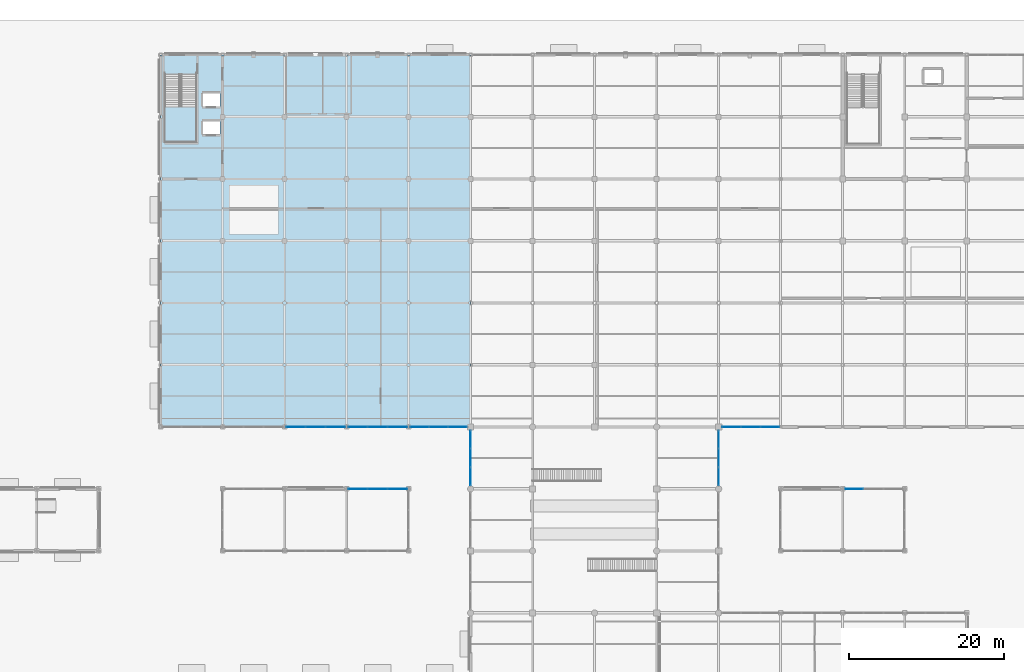
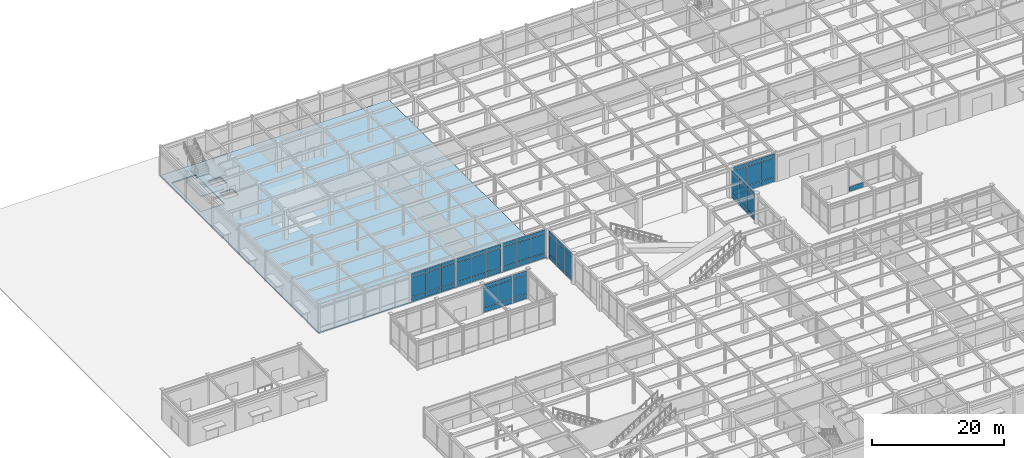
# One storey, part 97 of 128: 64 plates, 2 slabs, 9 elements without a shape of their own.
"""IFC4 building model written with IfcOpenShell, lengths in metres."""

from ifc_helpers import new_model, si_unit, direction, frame, origin, origin_2d, place, context, subcontext, project, spatial, polyline, rectangle, outline, extrude, material, layer, layer_set, type_object, element, aggregate, save


model = new_model("IFC4")

# Units and contexts
model_context = context("Model", 3, precision=1e-05, world=origin(), true_north=direction((0.0, 1.0)))
body_context = subcontext(model_context, "Body", "Model", "MODEL_VIEW")
ifc_project = project(units=[si_unit("LENGTHUNIT", "METRE"), si_unit("AREAUNIT", "SQUARE_METRE"), si_unit("VOLUMEUNIT", "CUBIC_METRE"), si_unit("PLANEANGLEUNIT", "RADIAN"), si_unit("MASSUNIT", "GRAM", prefix="KILO")], contexts=[model_context])

# Site, building, storey
site_placement = place(None, origin())
site = spatial("IfcSite", under=ifc_project, at=site_placement, CompositionType="ELEMENT")
building_placement = place(site_placement, origin())
building = spatial("IfcBuilding", under=site, at=building_placement, Name="Solmirada Galleria", CompositionType="ELEMENT")
storey_placement = place(building_placement, origin())
storey = spatial("IfcBuildingStorey", under=building, at=storey_placement, Name="L00", CompositionType="ELEMENT", Elevation=0.0)

# Curtain wall, plates
ifc_material_1 = material(Name="Impact-resistant low-E double glazing", Category="glass")
curtain_wall_type_1 = type_object("IfcCurtainWallType", Name="CW-FZ3-L00-B3-L072", PredefinedType="NOTDEFINED", material=ifc_material_1)
curtain_wall_1_placement = place(storey_placement, origin())
curtain_wall_1 = element("IfcCurtainWall", 1, at=curtain_wall_1_placement, inside=storey, type_object=curtain_wall_type_1, Name="Terrace and arcade storefront CW-L00-003", PredefinedType="NOTDEFINED")
ifc_layer_1 = layer(ifc_material_1, 0.0419921875)
ifc_layer_set_1 = layer_set([ifc_layer_1], Name="Impact-resistant low-E double glazing")
plate_type_1 = type_object("IfcPlateType", Name="CW-PNL-CW01-T42", PredefinedType="CURTAIN_PANEL", material=ifc_layer_set_1)
plate_1_placement = place(storey_placement, frame((80.0, 65.618896484375, 0.06494140625), z_axis=(0.0, 0.0, 1.0), x_axis=(0.0, 1.0, 0.0)))
plate_1 = element("IfcPlate", 2, at=plate_1_placement, type_object=plate_type_1, Name="CW01 panel 1.1", PredefinedType="CURTAIN_PANEL", context=body_context, shape_type="SweptSolid", body=[
    extrude(rectangle(XDim=2.293701171875, YDim=0.0419921875, at=origin_2d()), origin(), (0.0, 0.0, 1.0), 0.782470703125),
])
plate_2_placement = place(storey_placement, frame((80.0, 65.618896484375, 0.91259765625), z_axis=(0.0, 0.0, 1.0), x_axis=(0.0, 1.0, 0.0)))
plate_2 = element("IfcPlate", 3, at=plate_2_placement, type_object=plate_type_1, Name="CW01 panel 1.2", PredefinedType="CURTAIN_PANEL", context=body_context, shape_type="SweptSolid", body=[
    extrude(rectangle(XDim=2.293701171875, YDim=0.0419921875, at=origin_2d()), origin(), (0.0, 0.0, 1.0), 3.614990234375),
])
plate_3_placement = place(storey_placement, frame((80.0, 65.618896484375, 4.592529296875), z_axis=(0.0, 0.0, 1.0), x_axis=(0.0, 1.0, 0.0)))
plate_3 = element("IfcPlate", 4, at=plate_3_placement, type_object=plate_type_1, Name="CW01 panel 1.3", PredefinedType="CURTAIN_PANEL", context=body_context, shape_type="SweptSolid", body=[
    extrude(rectangle(XDim=2.293701171875, YDim=0.0419921875, at=origin_2d()), origin(), (0.0, 0.0, 1.0), 0.66259765625),
])
plate_4_placement = place(storey_placement, frame((80.0, 68.0, 0.06494140625), z_axis=(0.0, 0.0, 1.0), x_axis=(0.0, 1.0, 0.0)))
plate_4 = element("IfcPlate", 5, at=plate_4_placement, type_object=plate_type_1, Name="CW01 panel 2.1", PredefinedType="CURTAIN_PANEL", context=body_context, shape_type="SweptSolid", body=[
    extrude(rectangle(XDim=2.32861328125, YDim=0.0419921875, at=origin_2d()), origin(), (0.0, 0.0, 1.0), 0.782470703125),
])
plate_5_placement = place(storey_placement, frame((80.0, 68.0, 0.91259765625), z_axis=(0.0, 0.0, 1.0), x_axis=(0.0, 1.0, 0.0)))
plate_5 = element("IfcPlate", 6, at=plate_5_placement, type_object=plate_type_1, Name="CW01 panel 2.2", PredefinedType="CURTAIN_PANEL", context=body_context, shape_type="SweptSolid", body=[
    extrude(rectangle(XDim=2.32861328125, YDim=0.0419921875, at=origin_2d()), origin(), (0.0, 0.0, 1.0), 3.614990234375),
])
plate_6_placement = place(storey_placement, frame((80.0, 68.0, 4.592529296875), z_axis=(0.0, 0.0, 1.0), x_axis=(0.0, 1.0, 0.0)))
plate_6 = element("IfcPlate", 7, at=plate_6_placement, type_object=plate_type_1, Name="CW01 panel 2.3", PredefinedType="CURTAIN_PANEL", context=body_context, shape_type="SweptSolid", body=[
    extrude(rectangle(XDim=2.32861328125, YDim=0.0419921875, at=origin_2d()), origin(), (0.0, 0.0, 1.0), 0.66259765625),
])
plate_7_placement = place(storey_placement, frame((80.0, 70.381103515625, 0.06494140625), z_axis=(0.0, 0.0, 1.0), x_axis=(0.0, 1.0, 0.0)))
plate_7 = element("IfcPlate", 8, at=plate_7_placement, type_object=plate_type_1, Name="CW01 panel 3.1", PredefinedType="CURTAIN_PANEL", context=body_context, shape_type="SweptSolid", body=[
    extrude(rectangle(XDim=2.293701171875, YDim=0.0419921875, at=origin_2d()), origin(), (0.0, 0.0, 1.0), 0.782470703125),
])
plate_8_placement = place(storey_placement, frame((80.0, 70.381103515625, 0.91259765625), z_axis=(0.0, 0.0, 1.0), x_axis=(0.0, 1.0, 0.0)))
plate_8 = element("IfcPlate", 9, at=plate_8_placement, type_object=plate_type_1, Name="CW01 panel 3.2", PredefinedType="CURTAIN_PANEL", context=body_context, shape_type="SweptSolid", body=[
    extrude(rectangle(XDim=2.293701171875, YDim=0.0419921875, at=origin_2d()), origin(), (0.0, 0.0, 1.0), 3.614990234375),
])
plate_9_placement = place(storey_placement, frame((80.0, 70.381103515625, 4.592529296875), z_axis=(0.0, 0.0, 1.0), x_axis=(0.0, 1.0, 0.0)))
plate_9 = element("IfcPlate", 10, at=plate_9_placement, type_object=plate_type_1, Name="CW01 panel 3.3", PredefinedType="CURTAIN_PANEL", context=body_context, shape_type="SweptSolid", body=[
    extrude(rectangle(XDim=2.293701171875, YDim=0.0419921875, at=origin_2d()), origin(), (0.0, 0.0, 1.0), 0.66259765625),
])
aggregate(curtain_wall_1, [plate_1, plate_2, plate_3, plate_4, plate_5, plate_6, plate_7, plate_8, plate_9])

curtain_wall_2_placement = place(storey_placement, origin())
curtain_wall_2 = element("IfcCurtainWall", 11, at=curtain_wall_2_placement, inside=storey, type_object=curtain_wall_type_1, Name="Terrace and arcade storefront CW-L00-016", PredefinedType="NOTDEFINED")
plate_10_placement = place(storey_placement, frame((112.0, 70.381103515625, 0.06494140625), z_axis=(0.0, 0.0, 1.0), x_axis=(0.0, -1.0, 0.0)))
plate_10 = element("IfcPlate", 12, at=plate_10_placement, type_object=plate_type_1, Name="CW01 panel 1.1", PredefinedType="CURTAIN_PANEL", context=body_context, shape_type="SweptSolid", body=[
    extrude(rectangle(XDim=2.293701171875, YDim=0.0419921875, at=origin_2d()), origin(), (0.0, 0.0, 1.0), 0.782470703125),
])
plate_11_placement = place(storey_placement, frame((112.0, 70.381103515625, 0.91259765625), z_axis=(0.0, 0.0, 1.0), x_axis=(0.0, -1.0, 0.0)))
plate_11 = element("IfcPlate", 13, at=plate_11_placement, type_object=plate_type_1, Name="CW01 panel 1.2", PredefinedType="CURTAIN_PANEL", context=body_context, shape_type="SweptSolid", body=[
    extrude(rectangle(XDim=2.293701171875, YDim=0.0419921875, at=origin_2d()), origin(), (0.0, 0.0, 1.0), 3.614990234375),
])
plate_12_placement = place(storey_placement, frame((112.0, 70.381103515625, 4.592529296875), z_axis=(0.0, 0.0, 1.0), x_axis=(0.0, -1.0, 0.0)))
plate_12 = element("IfcPlate", 14, at=plate_12_placement, type_object=plate_type_1, Name="CW01 panel 1.3", PredefinedType="CURTAIN_PANEL", context=body_context, shape_type="SweptSolid", body=[
    extrude(rectangle(XDim=2.293701171875, YDim=0.0419921875, at=origin_2d()), origin(), (0.0, 0.0, 1.0), 0.66259765625),
])
plate_13_placement = place(storey_placement, frame((112.0, 68.0, 0.06494140625), z_axis=(0.0, 0.0, 1.0), x_axis=(0.0, -1.0, 0.0)))
plate_13 = element("IfcPlate", 15, at=plate_13_placement, type_object=plate_type_1, Name="CW01 panel 2.1", PredefinedType="CURTAIN_PANEL", context=body_context, shape_type="SweptSolid", body=[
    extrude(rectangle(XDim=2.32861328125, YDim=0.0419921875, at=origin_2d()), origin(), (0.0, 0.0, 1.0), 0.782470703125),
])
plate_14_placement = place(storey_placement, frame((112.0, 68.0, 0.91259765625), z_axis=(0.0, 0.0, 1.0), x_axis=(0.0, -1.0, 0.0)))
plate_14 = element("IfcPlate", 16, at=plate_14_placement, type_object=plate_type_1, Name="CW01 panel 2.2", PredefinedType="CURTAIN_PANEL", context=body_context, shape_type="SweptSolid", body=[
    extrude(rectangle(XDim=2.32861328125, YDim=0.0419921875, at=origin_2d()), origin(), (0.0, 0.0, 1.0), 3.614990234375),
])
plate_15_placement = place(storey_placement, frame((112.0, 68.0, 4.592529296875), z_axis=(0.0, 0.0, 1.0), x_axis=(0.0, -1.0, 0.0)))
plate_15 = element("IfcPlate", 17, at=plate_15_placement, type_object=plate_type_1, Name="CW01 panel 2.3", PredefinedType="CURTAIN_PANEL", context=body_context, shape_type="SweptSolid", body=[
    extrude(rectangle(XDim=2.32861328125, YDim=0.0419921875, at=origin_2d()), origin(), (0.0, 0.0, 1.0), 0.66259765625),
])
plate_16_placement = place(storey_placement, frame((112.0, 65.618896484375, 0.06494140625), z_axis=(0.0, 0.0, 1.0), x_axis=(0.0, -1.0, 0.0)))
plate_16 = element("IfcPlate", 18, at=plate_16_placement, type_object=plate_type_1, Name="CW01 panel 3.1", PredefinedType="CURTAIN_PANEL", context=body_context, shape_type="SweptSolid", body=[
    extrude(rectangle(XDim=2.293701171875, YDim=0.0419921875, at=origin_2d()), origin(), (0.0, 0.0, 1.0), 0.782470703125),
])
plate_17_placement = place(storey_placement, frame((112.0, 65.618896484375, 0.91259765625), z_axis=(0.0, 0.0, 1.0), x_axis=(0.0, -1.0, 0.0)))
plate_17 = element("IfcPlate", 19, at=plate_17_placement, type_object=plate_type_1, Name="CW01 panel 3.2", PredefinedType="CURTAIN_PANEL", context=body_context, shape_type="SweptSolid", body=[
    extrude(rectangle(XDim=2.293701171875, YDim=0.0419921875, at=origin_2d()), origin(), (0.0, 0.0, 1.0), 3.614990234375),
])
plate_18_placement = place(storey_placement, frame((112.0, 65.618896484375, 4.592529296875), z_axis=(0.0, 0.0, 1.0), x_axis=(0.0, -1.0, 0.0)))
plate_18 = element("IfcPlate", 20, at=plate_18_placement, type_object=plate_type_1, Name="CW01 panel 3.3", PredefinedType="CURTAIN_PANEL", context=body_context, shape_type="SweptSolid", body=[
    extrude(rectangle(XDim=2.293701171875, YDim=0.0419921875, at=origin_2d()), origin(), (0.0, 0.0, 1.0), 0.66259765625),
])
aggregate(curtain_wall_2, [plate_10, plate_11, plate_12, plate_13, plate_14, plate_15, plate_16, plate_17, plate_18])

curtain_wall_type_2 = type_object("IfcCurtainWallType", Name="CW-FZ4-L00-B3-L075", PredefinedType="NOTDEFINED", material=ifc_material_1)
curtain_wall_3_placement = place(storey_placement, origin())
curtain_wall_3 = element("IfcCurtainWall", 21, at=curtain_wall_3_placement, inside=storey, type_object=curtain_wall_type_2, Name="Terrace and arcade storefront CW-L00-004", PredefinedType="NOTDEFINED")
ifc_layer_2 = layer(ifc_material_1, 0.048095703125)
ifc_layer_set_2 = layer_set([ifc_layer_2], Name="Impact-resistant low-E double glazing")
plate_type_2 = type_object("IfcPlateType", Name="CW-PNL-CW02-T48", PredefinedType="CURTAIN_PANEL", material=ifc_layer_set_2)
plate_19_placement = place(storey_placement, frame((78.335693359375, 72.0, 0.06494140625), z_axis=(0.0, 0.0, 1.0), x_axis=(-1.0, 0.0, 0.0)))
plate_19 = element("IfcPlate", 22, at=plate_19_placement, type_object=plate_type_2, Name="CW02 panel 1.1", PredefinedType="CURTAIN_PANEL", context=body_context, shape_type="SweptSolid", body=[
    extrude(rectangle(XDim=2.384765625, YDim=0.048095703125, at=origin_2d()), origin(), (0.0, 0.0, 1.0), 0.842529296875),
])
plate_20_placement = place(storey_placement, frame((78.335693359375, 72.0, 0.97265625), z_axis=(0.0, 0.0, 1.0), x_axis=(-1.0, 0.0, 0.0)))
plate_20 = element("IfcPlate", 23, at=plate_20_placement, type_object=plate_type_2, Name="CW02 panel 1.2", PredefinedType="CURTAIN_PANEL", context=body_context, shape_type="SweptSolid", body=[
    extrude(rectangle(XDim=2.384765625, YDim=0.048095703125, at=origin_2d()), origin(), (0.0, 0.0, 1.0), 3.5048828125),
])
plate_21_placement = place(storey_placement, frame((78.335693359375, 72.0, 4.54248046875), z_axis=(0.0, 0.0, 1.0), x_axis=(-1.0, 0.0, 0.0)))
plate_21 = element("IfcPlate", 24, at=plate_21_placement, type_object=plate_type_2, Name="CW02 panel 1.3", PredefinedType="CURTAIN_PANEL", context=body_context, shape_type="SweptSolid", body=[
    extrude(rectangle(XDim=2.384765625, YDim=0.048095703125, at=origin_2d()), origin(), (0.0, 0.0, 1.0), 0.71240234375),
])
plate_22_placement = place(storey_placement, frame((75.863525390625, 72.0, 0.06494140625), z_axis=(0.0, 0.0, 1.0), x_axis=(-1.0, 0.0, 0.0)))
plate_22 = element("IfcPlate", 25, at=plate_22_placement, type_object=plate_type_2, Name="CW02 panel 2.1", PredefinedType="CURTAIN_PANEL", context=body_context, shape_type="SweptSolid", body=[
    extrude(rectangle(XDim=2.419677734375, YDim=0.048095703125, at=origin_2d()), origin(), (0.0, 0.0, 1.0), 0.842529296875),
])
plate_23_placement = place(storey_placement, frame((75.863525390625, 72.0, 0.97265625), z_axis=(0.0, 0.0, 1.0), x_axis=(-1.0, 0.0, 0.0)))
plate_23 = element("IfcPlate", 26, at=plate_23_placement, type_object=plate_type_2, Name="CW02 panel 2.2", PredefinedType="CURTAIN_PANEL", context=body_context, shape_type="SweptSolid", body=[
    extrude(rectangle(XDim=2.419677734375, YDim=0.048095703125, at=origin_2d()), origin(), (0.0, 0.0, 1.0), 3.5048828125),
])
plate_24_placement = place(storey_placement, frame((75.863525390625, 72.0, 4.54248046875), z_axis=(0.0, 0.0, 1.0), x_axis=(-1.0, 0.0, 0.0)))
plate_24 = element("IfcPlate", 27, at=plate_24_placement, type_object=plate_type_2, Name="CW02 panel 2.3", PredefinedType="CURTAIN_PANEL", context=body_context, shape_type="SweptSolid", body=[
    extrude(rectangle(XDim=2.419677734375, YDim=0.048095703125, at=origin_2d()), origin(), (0.0, 0.0, 1.0), 0.71240234375),
])
plate_25_placement = place(storey_placement, frame((73.391357421875, 72.0, 0.06494140625), z_axis=(0.0, 0.0, 1.0), x_axis=(-1.0, 0.0, 0.0)))
plate_25 = element("IfcPlate", 28, at=plate_25_placement, type_object=plate_type_2, Name="CW02 panel 3.1", PredefinedType="CURTAIN_PANEL", context=body_context, shape_type="SweptSolid", body=[
    extrude(rectangle(XDim=2.384765625, YDim=0.048095703125, at=origin_2d()), origin(), (0.0, 0.0, 1.0), 0.842529296875),
])
plate_26_placement = place(storey_placement, frame((73.391357421875, 72.0, 0.97265625), z_axis=(0.0, 0.0, 1.0), x_axis=(-1.0, 0.0, 0.0)))
plate_26 = element("IfcPlate", 29, at=plate_26_placement, type_object=plate_type_2, Name="CW02 panel 3.2", PredefinedType="CURTAIN_PANEL", context=body_context, shape_type="SweptSolid", body=[
    extrude(rectangle(XDim=2.384765625, YDim=0.048095703125, at=origin_2d()), origin(), (0.0, 0.0, 1.0), 3.5048828125),
])
plate_27_placement = place(storey_placement, frame((73.391357421875, 72.0, 4.54248046875), z_axis=(0.0, 0.0, 1.0), x_axis=(-1.0, 0.0, 0.0)))
plate_27 = element("IfcPlate", 30, at=plate_27_placement, type_object=plate_type_2, Name="CW02 panel 3.3", PredefinedType="CURTAIN_PANEL", context=body_context, shape_type="SweptSolid", body=[
    extrude(rectangle(XDim=2.384765625, YDim=0.048095703125, at=origin_2d()), origin(), (0.0, 0.0, 1.0), 0.71240234375),
])
aggregate(curtain_wall_3, [plate_19, plate_20, plate_21, plate_22, plate_23, plate_24, plate_25, plate_26, plate_27])

curtain_wall_4_placement = place(storey_placement, origin())
curtain_wall_4 = element("IfcCurtainWall", 31, at=curtain_wall_4_placement, inside=storey, type_object=curtain_wall_type_2, Name="Terrace and arcade storefront CW-L00-015", PredefinedType="NOTDEFINED")
plate_28_placement = place(storey_placement, frame((118.608642578125, 72.0, 0.06494140625), z_axis=(0.0, 0.0, 1.0), x_axis=(-1.0, 0.0, 0.0)))
plate_28 = element("IfcPlate", 32, at=plate_28_placement, type_object=plate_type_2, Name="CW02 panel 1.1", PredefinedType="CURTAIN_PANEL", context=body_context, shape_type="SweptSolid", body=[
    extrude(rectangle(XDim=2.384765625, YDim=0.048095703125, at=origin_2d()), origin(), (0.0, 0.0, 1.0), 0.842529296875),
])
plate_29_placement = place(storey_placement, frame((118.608642578125, 72.0, 0.97265625), z_axis=(0.0, 0.0, 1.0), x_axis=(-1.0, 0.0, 0.0)))
plate_29 = element("IfcPlate", 33, at=plate_29_placement, type_object=plate_type_2, Name="CW02 panel 1.2", PredefinedType="CURTAIN_PANEL", context=body_context, shape_type="SweptSolid", body=[
    extrude(rectangle(XDim=2.384765625, YDim=0.048095703125, at=origin_2d()), origin(), (0.0, 0.0, 1.0), 3.5048828125),
])
plate_30_placement = place(storey_placement, frame((118.608642578125, 72.0, 4.54248046875), z_axis=(0.0, 0.0, 1.0), x_axis=(-1.0, 0.0, 0.0)))
plate_30 = element("IfcPlate", 34, at=plate_30_placement, type_object=plate_type_2, Name="CW02 panel 1.3", PredefinedType="CURTAIN_PANEL", context=body_context, shape_type="SweptSolid", body=[
    extrude(rectangle(XDim=2.384765625, YDim=0.048095703125, at=origin_2d()), origin(), (0.0, 0.0, 1.0), 0.71240234375),
])
plate_31_placement = place(storey_placement, frame((116.136474609375, 72.0, 0.06494140625), z_axis=(0.0, 0.0, 1.0), x_axis=(-1.0, 0.0, 0.0)))
plate_31 = element("IfcPlate", 35, at=plate_31_placement, type_object=plate_type_2, Name="CW02 panel 2.1", PredefinedType="CURTAIN_PANEL", context=body_context, shape_type="SweptSolid", body=[
    extrude(rectangle(XDim=2.419677734375, YDim=0.048095703125, at=origin_2d()), origin(), (0.0, 0.0, 1.0), 0.842529296875),
])
plate_32_placement = place(storey_placement, frame((116.136474609375, 72.0, 0.97265625), z_axis=(0.0, 0.0, 1.0), x_axis=(-1.0, 0.0, 0.0)))
plate_32 = element("IfcPlate", 36, at=plate_32_placement, type_object=plate_type_2, Name="CW02 panel 2.2", PredefinedType="CURTAIN_PANEL", context=body_context, shape_type="SweptSolid", body=[
    extrude(rectangle(XDim=2.419677734375, YDim=0.048095703125, at=origin_2d()), origin(), (0.0, 0.0, 1.0), 3.5048828125),
])
plate_33_placement = place(storey_placement, frame((116.136474609375, 72.0, 4.54248046875), z_axis=(0.0, 0.0, 1.0), x_axis=(-1.0, 0.0, 0.0)))
plate_33 = element("IfcPlate", 37, at=plate_33_placement, type_object=plate_type_2, Name="CW02 panel 2.3", PredefinedType="CURTAIN_PANEL", context=body_context, shape_type="SweptSolid", body=[
    extrude(rectangle(XDim=2.419677734375, YDim=0.048095703125, at=origin_2d()), origin(), (0.0, 0.0, 1.0), 0.71240234375),
])
plate_34_placement = place(storey_placement, frame((113.664306640625, 72.0, 0.06494140625), z_axis=(0.0, 0.0, 1.0), x_axis=(-1.0, 0.0, 0.0)))
plate_34 = element("IfcPlate", 38, at=plate_34_placement, type_object=plate_type_2, Name="CW02 panel 3.1", PredefinedType="CURTAIN_PANEL", context=body_context, shape_type="SweptSolid", body=[
    extrude(rectangle(XDim=2.384765625, YDim=0.048095703125, at=origin_2d()), origin(), (0.0, 0.0, 1.0), 0.842529296875),
])
plate_35_placement = place(storey_placement, frame((113.664306640625, 72.0, 0.97265625), z_axis=(0.0, 0.0, 1.0), x_axis=(-1.0, 0.0, 0.0)))
plate_35 = element("IfcPlate", 39, at=plate_35_placement, type_object=plate_type_2, Name="CW02 panel 3.2", PredefinedType="CURTAIN_PANEL", context=body_context, shape_type="SweptSolid", body=[
    extrude(rectangle(XDim=2.384765625, YDim=0.048095703125, at=origin_2d()), origin(), (0.0, 0.0, 1.0), 3.5048828125),
])
plate_36_placement = place(storey_placement, frame((113.664306640625, 72.0, 4.54248046875), z_axis=(0.0, 0.0, 1.0), x_axis=(-1.0, 0.0, 0.0)))
plate_36 = element("IfcPlate", 40, at=plate_36_placement, type_object=plate_type_2, Name="CW02 panel 3.3", PredefinedType="CURTAIN_PANEL", context=body_context, shape_type="SweptSolid", body=[
    extrude(rectangle(XDim=2.384765625, YDim=0.048095703125, at=origin_2d()), origin(), (0.0, 0.0, 1.0), 0.71240234375),
])
aggregate(curtain_wall_4, [plate_28, plate_29, plate_30, plate_31, plate_32, plate_33, plate_34, plate_35, plate_36])

curtain_wall_type_3 = type_object("IfcCurtainWallType", Name="CW-FZ4-L00-B3-L077", PredefinedType="NOTDEFINED", material=ifc_material_1)
curtain_wall_5_placement = place(storey_placement, origin())
curtain_wall_5 = element("IfcCurtainWall", 41, at=curtain_wall_5_placement, inside=storey, type_object=curtain_wall_type_3, Name="Terrace and arcade storefront CW-L00-005", PredefinedType="NOTDEFINED")
ifc_layer_3 = layer(ifc_material_1, 0.02392578125)
ifc_layer_set_3 = layer_set([ifc_layer_3], Name="Impact-resistant low-E double glazing")
plate_type_3 = type_object("IfcPlateType", Name="CW-PNL-CW03-T24", PredefinedType="CURTAIN_PANEL", material=ifc_layer_set_3)
plate_37_placement = place(storey_placement, frame((70.563232421875, 72.0, 0.06494140625), z_axis=(0.0, 0.0, 1.0), x_axis=(-1.0, 0.0, 0.0)))
plate_37 = element("IfcPlate", 42, at=plate_37_placement, type_object=plate_type_3, Name="CW03 panel 1.1", PredefinedType="CURTAIN_PANEL", context=body_context, shape_type="SweptSolid", body=[
    extrude(rectangle(XDim=2.4755859375, YDim=0.02392578125, at=origin_2d()), origin(), (0.0, 0.0, 1.0), 0.842529296875),
])
plate_38_placement = place(storey_placement, frame((70.563232421875, 72.0, 0.97265625), z_axis=(0.0, 0.0, 1.0), x_axis=(-1.0, 0.0, 0.0)))
plate_38 = element("IfcPlate", 43, at=plate_38_placement, type_object=plate_type_3, Name="CW03 panel 1.2", PredefinedType="CURTAIN_PANEL", context=body_context, shape_type="SweptSolid", body=[
    extrude(rectangle(XDim=2.4755859375, YDim=0.02392578125, at=origin_2d()), origin(), (0.0, 0.0, 1.0), 3.5048828125),
])
plate_39_placement = place(storey_placement, frame((70.563232421875, 72.0, 4.54248046875), z_axis=(0.0, 0.0, 1.0), x_axis=(-1.0, 0.0, 0.0)))
plate_39 = element("IfcPlate", 44, at=plate_39_placement, type_object=plate_type_3, Name="CW03 panel 1.3", PredefinedType="CURTAIN_PANEL", context=body_context, shape_type="SweptSolid", body=[
    extrude(rectangle(XDim=2.4755859375, YDim=0.02392578125, at=origin_2d()), origin(), (0.0, 0.0, 1.0), 0.71240234375),
])
plate_40_placement = place(storey_placement, frame((68.0, 72.0, 0.06494140625), z_axis=(0.0, 0.0, 1.0), x_axis=(-1.0, 0.0, 0.0)))
plate_40 = element("IfcPlate", 45, at=plate_40_placement, type_object=plate_type_3, Name="CW03 panel 2.1", PredefinedType="CURTAIN_PANEL", context=body_context, shape_type="SweptSolid", body=[
    extrude(rectangle(XDim=2.5107421875, YDim=0.02392578125, at=origin_2d()), origin(), (0.0, 0.0, 1.0), 0.842529296875),
])
plate_41_placement = place(storey_placement, frame((68.0, 72.0, 0.97265625), z_axis=(0.0, 0.0, 1.0), x_axis=(-1.0, 0.0, 0.0)))
plate_41 = element("IfcPlate", 46, at=plate_41_placement, type_object=plate_type_3, Name="CW03 panel 2.2", PredefinedType="CURTAIN_PANEL", context=body_context, shape_type="SweptSolid", body=[
    extrude(rectangle(XDim=2.5107421875, YDim=0.02392578125, at=origin_2d()), origin(), (0.0, 0.0, 1.0), 3.5048828125),
])
plate_42_placement = place(storey_placement, frame((68.0, 72.0, 4.54248046875), z_axis=(0.0, 0.0, 1.0), x_axis=(-1.0, 0.0, 0.0)))
plate_42 = element("IfcPlate", 47, at=plate_42_placement, type_object=plate_type_3, Name="CW03 panel 2.3", PredefinedType="CURTAIN_PANEL", context=body_context, shape_type="SweptSolid", body=[
    extrude(rectangle(XDim=2.5107421875, YDim=0.02392578125, at=origin_2d()), origin(), (0.0, 0.0, 1.0), 0.71240234375),
])
plate_43_placement = place(storey_placement, frame((65.436767578125, 72.0, 0.06494140625), z_axis=(0.0, 0.0, 1.0), x_axis=(-1.0, 0.0, 0.0)))
plate_43 = element("IfcPlate", 48, at=plate_43_placement, type_object=plate_type_3, Name="CW03 panel 3.1", PredefinedType="CURTAIN_PANEL", context=body_context, shape_type="SweptSolid", body=[
    extrude(rectangle(XDim=2.4755859375, YDim=0.02392578125, at=origin_2d()), origin(), (0.0, 0.0, 1.0), 0.842529296875),
])
plate_44_placement = place(storey_placement, frame((65.436767578125, 72.0, 0.97265625), z_axis=(0.0, 0.0, 1.0), x_axis=(-1.0, 0.0, 0.0)))
plate_44 = element("IfcPlate", 49, at=plate_44_placement, type_object=plate_type_3, Name="CW03 panel 3.2", PredefinedType="CURTAIN_PANEL", context=body_context, shape_type="SweptSolid", body=[
    extrude(rectangle(XDim=2.4755859375, YDim=0.02392578125, at=origin_2d()), origin(), (0.0, 0.0, 1.0), 3.5048828125),
])
plate_45_placement = place(storey_placement, frame((65.436767578125, 72.0, 4.54248046875), z_axis=(0.0, 0.0, 1.0), x_axis=(-1.0, 0.0, 0.0)))
plate_45 = element("IfcPlate", 50, at=plate_45_placement, type_object=plate_type_3, Name="CW03 panel 3.3", PredefinedType="CURTAIN_PANEL", context=body_context, shape_type="SweptSolid", body=[
    extrude(rectangle(XDim=2.4755859375, YDim=0.02392578125, at=origin_2d()), origin(), (0.0, 0.0, 1.0), 0.71240234375),
])
aggregate(curtain_wall_5, [plate_37, plate_38, plate_39, plate_40, plate_41, plate_42, plate_43, plate_44, plate_45])

curtain_wall_6_placement = place(storey_placement, origin())
curtain_wall_6 = element("IfcCurtainWall", 51, at=curtain_wall_6_placement, inside=storey, type_object=curtain_wall_type_3, Name="Terrace and arcade storefront CW-L00-006", PredefinedType="NOTDEFINED")
plate_46_placement = place(storey_placement, frame((62.563232421875, 72.0, 0.06494140625), z_axis=(0.0, 0.0, 1.0), x_axis=(-1.0, 0.0, 0.0)))
plate_46 = element("IfcPlate", 52, at=plate_46_placement, type_object=plate_type_3, Name="CW03 panel 1.1", PredefinedType="CURTAIN_PANEL", context=body_context, shape_type="SweptSolid", body=[
    extrude(rectangle(XDim=2.4755859375, YDim=0.02392578125, at=origin_2d()), origin(), (0.0, 0.0, 1.0), 0.842529296875),
])
plate_47_placement = place(storey_placement, frame((62.563232421875, 72.0, 0.97265625), z_axis=(0.0, 0.0, 1.0), x_axis=(-1.0, 0.0, 0.0)))
plate_47 = element("IfcPlate", 53, at=plate_47_placement, type_object=plate_type_3, Name="CW03 panel 1.2", PredefinedType="CURTAIN_PANEL", context=body_context, shape_type="SweptSolid", body=[
    extrude(rectangle(XDim=2.4755859375, YDim=0.02392578125, at=origin_2d()), origin(), (0.0, 0.0, 1.0), 3.5048828125),
])
plate_48_placement = place(storey_placement, frame((62.563232421875, 72.0, 4.54248046875), z_axis=(0.0, 0.0, 1.0), x_axis=(-1.0, 0.0, 0.0)))
plate_48 = element("IfcPlate", 54, at=plate_48_placement, type_object=plate_type_3, Name="CW03 panel 1.3", PredefinedType="CURTAIN_PANEL", context=body_context, shape_type="SweptSolid", body=[
    extrude(rectangle(XDim=2.4755859375, YDim=0.02392578125, at=origin_2d()), origin(), (0.0, 0.0, 1.0), 0.71240234375),
])
plate_49_placement = place(storey_placement, frame((60.0, 72.0, 0.06494140625), z_axis=(0.0, 0.0, 1.0), x_axis=(-1.0, 0.0, 0.0)))
plate_49 = element("IfcPlate", 55, at=plate_49_placement, type_object=plate_type_3, Name="CW03 panel 2.1", PredefinedType="CURTAIN_PANEL", context=body_context, shape_type="SweptSolid", body=[
    extrude(rectangle(XDim=2.5107421875, YDim=0.02392578125, at=origin_2d()), origin(), (0.0, 0.0, 1.0), 0.842529296875),
])
plate_50_placement = place(storey_placement, frame((60.0, 72.0, 0.97265625), z_axis=(0.0, 0.0, 1.0), x_axis=(-1.0, 0.0, 0.0)))
plate_50 = element("IfcPlate", 56, at=plate_50_placement, type_object=plate_type_3, Name="CW03 panel 2.2", PredefinedType="CURTAIN_PANEL", context=body_context, shape_type="SweptSolid", body=[
    extrude(rectangle(XDim=2.5107421875, YDim=0.02392578125, at=origin_2d()), origin(), (0.0, 0.0, 1.0), 3.5048828125),
])
plate_51_placement = place(storey_placement, frame((60.0, 72.0, 4.54248046875), z_axis=(0.0, 0.0, 1.0), x_axis=(-1.0, 0.0, 0.0)))
plate_51 = element("IfcPlate", 57, at=plate_51_placement, type_object=plate_type_3, Name="CW03 panel 2.3", PredefinedType="CURTAIN_PANEL", context=body_context, shape_type="SweptSolid", body=[
    extrude(rectangle(XDim=2.5107421875, YDim=0.02392578125, at=origin_2d()), origin(), (0.0, 0.0, 1.0), 0.71240234375),
])
plate_52_placement = place(storey_placement, frame((57.436767578125, 72.0, 0.06494140625), z_axis=(0.0, 0.0, 1.0), x_axis=(-1.0, 0.0, 0.0)))
plate_52 = element("IfcPlate", 58, at=plate_52_placement, type_object=plate_type_3, Name="CW03 panel 3.1", PredefinedType="CURTAIN_PANEL", context=body_context, shape_type="SweptSolid", body=[
    extrude(rectangle(XDim=2.4755859375, YDim=0.02392578125, at=origin_2d()), origin(), (0.0, 0.0, 1.0), 0.842529296875),
])
plate_53_placement = place(storey_placement, frame((57.436767578125, 72.0, 0.97265625), z_axis=(0.0, 0.0, 1.0), x_axis=(-1.0, 0.0, 0.0)))
plate_53 = element("IfcPlate", 59, at=plate_53_placement, type_object=plate_type_3, Name="CW03 panel 3.2", PredefinedType="CURTAIN_PANEL", context=body_context, shape_type="SweptSolid", body=[
    extrude(rectangle(XDim=2.4755859375, YDim=0.02392578125, at=origin_2d()), origin(), (0.0, 0.0, 1.0), 3.5048828125),
])
plate_54_placement = place(storey_placement, frame((57.436767578125, 72.0, 4.54248046875), z_axis=(0.0, 0.0, 1.0), x_axis=(-1.0, 0.0, 0.0)))
plate_54 = element("IfcPlate", 60, at=plate_54_placement, type_object=plate_type_3, Name="CW03 panel 3.3", PredefinedType="CURTAIN_PANEL", context=body_context, shape_type="SweptSolid", body=[
    extrude(rectangle(XDim=2.4755859375, YDim=0.02392578125, at=origin_2d()), origin(), (0.0, 0.0, 1.0), 0.71240234375),
])
aggregate(curtain_wall_6, [plate_46, plate_47, plate_48, plate_49, plate_50, plate_51, plate_52, plate_53, plate_54])

curtain_wall_type_4 = type_object("IfcCurtainWallType", Name="CW-FZ5-L00-B3-L077", PredefinedType="NOTDEFINED", material=ifc_material_1)
curtain_wall_7_placement = place(storey_placement, origin())
curtain_wall_7 = element("IfcCurtainWall", 61, at=curtain_wall_7_placement, inside=storey, type_object=curtain_wall_type_4, Name="Terrace and arcade storefront CW-L00-037", PredefinedType="NOTDEFINED")
ifc_layer_4 = layer(ifc_material_1, 0.048095703125)
ifc_layer_set_4 = layer_set([ifc_layer_4], Name="Impact-resistant low-E double glazing")
plate_type_4 = type_object("IfcPlateType", Name="CW-PNL-CW08-T48", PredefinedType="CURTAIN_PANEL", material=ifc_layer_set_4)
plate_55_placement = place(storey_placement, frame((65.436767578125, 64.0, 0.06494140625), z_axis=(0.0, 0.0, 1.0), x_axis=(1.0, 0.0, 0.0)))
plate_55 = element("IfcPlate", 62, at=plate_55_placement, type_object=plate_type_4, Name="CW08 panel 1.1", PredefinedType="CURTAIN_PANEL", context=body_context, shape_type="SweptSolid", body=[
    extrude(rectangle(XDim=2.4755859375, YDim=0.048095703125, at=origin_2d()), origin(), (0.0, 0.0, 1.0), 0.902587890625),
])
plate_56_placement = place(storey_placement, frame((65.436767578125, 64.0, 1.032470703125), z_axis=(0.0, 0.0, 1.0), x_axis=(1.0, 0.0, 0.0)))
plate_56 = element("IfcPlate", 63, at=plate_56_placement, type_object=plate_type_4, Name="CW08 panel 1.2", PredefinedType="CURTAIN_PANEL", context=body_context, shape_type="SweptSolid", body=[
    extrude(rectangle(XDim=2.4755859375, YDim=0.048095703125, at=origin_2d()), origin(), (0.0, 0.0, 1.0), 3.39501953125),
])
plate_57_placement = place(storey_placement, frame((65.436767578125, 64.0, 4.49267578125), z_axis=(0.0, 0.0, 1.0), x_axis=(1.0, 0.0, 0.0)))
plate_57 = element("IfcPlate", 64, at=plate_57_placement, type_object=plate_type_4, Name="CW08 panel 1.3", PredefinedType="CURTAIN_PANEL", context=body_context, shape_type="SweptSolid", body=[
    extrude(rectangle(XDim=2.4755859375, YDim=0.048095703125, at=origin_2d()), origin(), (0.0, 0.0, 1.0), 0.762451171875),
])
plate_58_placement = place(storey_placement, frame((68.0, 64.0, 0.06494140625), z_axis=(0.0, 0.0, 1.0), x_axis=(1.0, 0.0, 0.0)))
plate_58 = element("IfcPlate", 65, at=plate_58_placement, type_object=plate_type_4, Name="CW08 panel 2.1", PredefinedType="CURTAIN_PANEL", context=body_context, shape_type="SweptSolid", body=[
    extrude(rectangle(XDim=2.5107421875, YDim=0.048095703125, at=origin_2d()), origin(), (0.0, 0.0, 1.0), 0.902587890625),
])
plate_59_placement = place(storey_placement, frame((68.0, 64.0, 1.032470703125), z_axis=(0.0, 0.0, 1.0), x_axis=(1.0, 0.0, 0.0)))
plate_59 = element("IfcPlate", 66, at=plate_59_placement, type_object=plate_type_4, Name="CW08 panel 2.2", PredefinedType="CURTAIN_PANEL", context=body_context, shape_type="SweptSolid", body=[
    extrude(rectangle(XDim=2.5107421875, YDim=0.048095703125, at=origin_2d()), origin(), (0.0, 0.0, 1.0), 3.39501953125),
])
plate_60_placement = place(storey_placement, frame((68.0, 64.0, 4.49267578125), z_axis=(0.0, 0.0, 1.0), x_axis=(1.0, 0.0, 0.0)))
plate_60 = element("IfcPlate", 67, at=plate_60_placement, type_object=plate_type_4, Name="CW08 panel 2.3", PredefinedType="CURTAIN_PANEL", context=body_context, shape_type="SweptSolid", body=[
    extrude(rectangle(XDim=2.5107421875, YDim=0.048095703125, at=origin_2d()), origin(), (0.0, 0.0, 1.0), 0.762451171875),
])
plate_61_placement = place(storey_placement, frame((70.563232421875, 64.0, 0.06494140625), z_axis=(0.0, 0.0, 1.0), x_axis=(1.0, 0.0, 0.0)))
plate_61 = element("IfcPlate", 68, at=plate_61_placement, type_object=plate_type_4, Name="CW08 panel 3.1", PredefinedType="CURTAIN_PANEL", context=body_context, shape_type="SweptSolid", body=[
    extrude(rectangle(XDim=2.4755859375, YDim=0.048095703125, at=origin_2d()), origin(), (0.0, 0.0, 1.0), 0.902587890625),
])
plate_62_placement = place(storey_placement, frame((70.563232421875, 64.0, 1.032470703125), z_axis=(0.0, 0.0, 1.0), x_axis=(1.0, 0.0, 0.0)))
plate_62 = element("IfcPlate", 69, at=plate_62_placement, type_object=plate_type_4, Name="CW08 panel 3.2", PredefinedType="CURTAIN_PANEL", context=body_context, shape_type="SweptSolid", body=[
    extrude(rectangle(XDim=2.4755859375, YDim=0.048095703125, at=origin_2d()), origin(), (0.0, 0.0, 1.0), 3.39501953125),
])
plate_63_placement = place(storey_placement, frame((70.563232421875, 64.0, 4.49267578125), z_axis=(0.0, 0.0, 1.0), x_axis=(1.0, 0.0, 0.0)))
plate_63 = element("IfcPlate", 70, at=plate_63_placement, type_object=plate_type_4, Name="CW08 panel 3.3", PredefinedType="CURTAIN_PANEL", context=body_context, shape_type="SweptSolid", body=[
    extrude(rectangle(XDim=2.4755859375, YDim=0.048095703125, at=origin_2d()), origin(), (0.0, 0.0, 1.0), 0.762451171875),
])
aggregate(curtain_wall_7, [plate_55, plate_56, plate_57, plate_58, plate_59, plate_60, plate_61, plate_62, plate_63])

# Curtain wall, plate
curtain_wall_8_placement = place(storey_placement, origin())
curtain_wall_8 = element("IfcCurtainWall", 71, at=curtain_wall_8_placement, inside=storey, type_object=curtain_wall_type_4, Name="Terrace and arcade storefront CW-L00-041", PredefinedType="NOTDEFINED")
plate_64_placement = place(storey_placement, frame((129.436767578125, 64.0, 0.06494140625), z_axis=(0.0, 0.0, 1.0), x_axis=(1.0, 0.0, 0.0)))
plate_64 = element("IfcPlate", 72, at=plate_64_placement, type_object=plate_type_4, Name="CW08 panel 1.1", PredefinedType="CURTAIN_PANEL", context=body_context, shape_type="SweptSolid", body=[
    extrude(rectangle(XDim=2.4755859375, YDim=0.048095703125, at=origin_2d()), origin(), (0.0, 0.0, 1.0), 0.902587890625),
])
aggregate(curtain_wall_8, [plate_64])

# Slab
ifc_material_2 = material(Name="Concrete C35/45", Category="concrete")
ifc_layer_5 = layer(ifc_material_2, 0.219970703125)
ifc_layer_set_5 = layer_set([ifc_layer_5], Name="Concrete C35/45")
slab_type_1 = type_object("IfcSlabType", Name="SLB-FLOOR-220", PredefinedType="FLOOR", material=ifc_layer_set_5)
slab_1_placement = place(storey_placement, frame((0.0, 0.0, -0.219970703125)))
element("IfcSlab", 73, at=slab_1_placement, inside=storey, type_object=slab_type_1, Name="Slab L00-NORTH-W", PredefinedType="FLOOR", context=body_context, shape_type="SweptSolid", body=[
    extrude(outline(polyline([(40.0, 72.0), (80.0, 72.0), (80.0, 120.0), (40.0, 120.0), (40.0, 72.0)]), holes=[polyline([(40.5, 108.699951171875), (44.64990234375, 108.699951171875), (44.64990234375, 117.5), (40.5, 117.5), (40.5, 108.699951171875)]), polyline([(45.425048828125, 113.300048828125), (47.675048828125, 113.300048828125), (47.675048828125, 115.10009765625), (45.425048828125, 115.10009765625), (45.425048828125, 113.300048828125)]), polyline([(45.425048828125, 109.699951171875), (47.675048828125, 109.699951171875), (47.675048828125, 111.5), (45.425048828125, 111.5), (45.425048828125, 109.699951171875)])]), origin(), (0.0, 0.0, 1.0), 0.219970703125),
])

# Stair, slab
stair_type = type_object("IfcStairType", Name="STR-DOG-200-H56", PredefinedType="HALF_TURN_STAIR", material=ifc_material_2)
stair_placement = place(storey_placement, origin())
stair = element("IfcStair", 74, at=stair_placement, inside=storey, type_object=stair_type, Name="L00 Northwest Sales Core Exit Stair ST1", PredefinedType="HALF_TURN_STAIR")
ifc_layer_6 = layer(ifc_material_2, 0.199951171875)
ifc_layer_set_6 = layer_set([ifc_layer_6], Name="Concrete C35/45")
slab_type_2 = type_object("IfcSlabType", Name="SLB-LAND-200", PredefinedType="LANDING", material=ifc_layer_set_6)
slab_2_placement = place(storey_placement, frame((0.0, 0.0, 2.60009765625)))
slab_2 = element("IfcSlab", 75, at=slab_2_placement, type_object=slab_type_2, Name="ST1 landing 1", PredefinedType="LANDING", context=body_context, shape_type="SweptSolid", body=[
    extrude(outline(polyline([(40.5, 113.300048828125), (40.5, 108.699951171875), (44.64990234375, 108.699951171875), (44.64990234375, 113.300048828125), (40.5, 113.300048828125)])), origin(), (0.0, 0.0, 1.0), 0.199951171875),
])
aggregate(stair, [slab_2])

save(model, "model.ifc")
